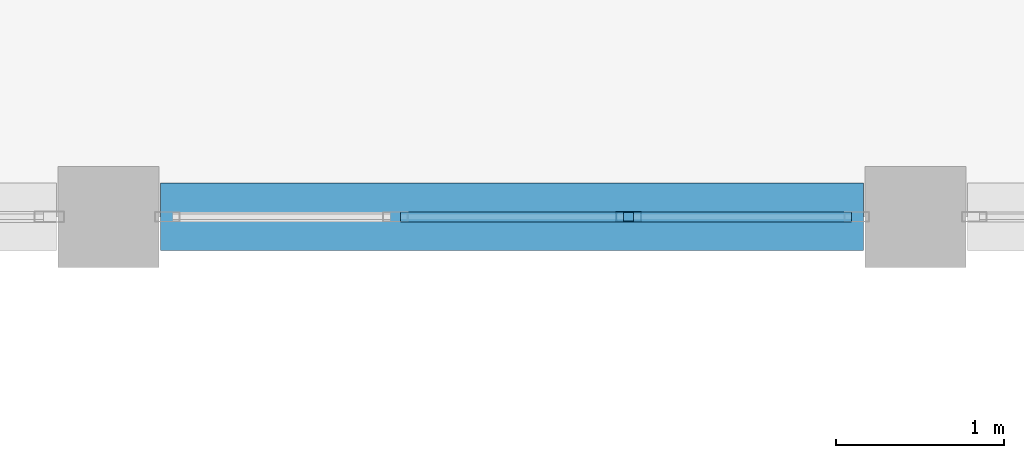
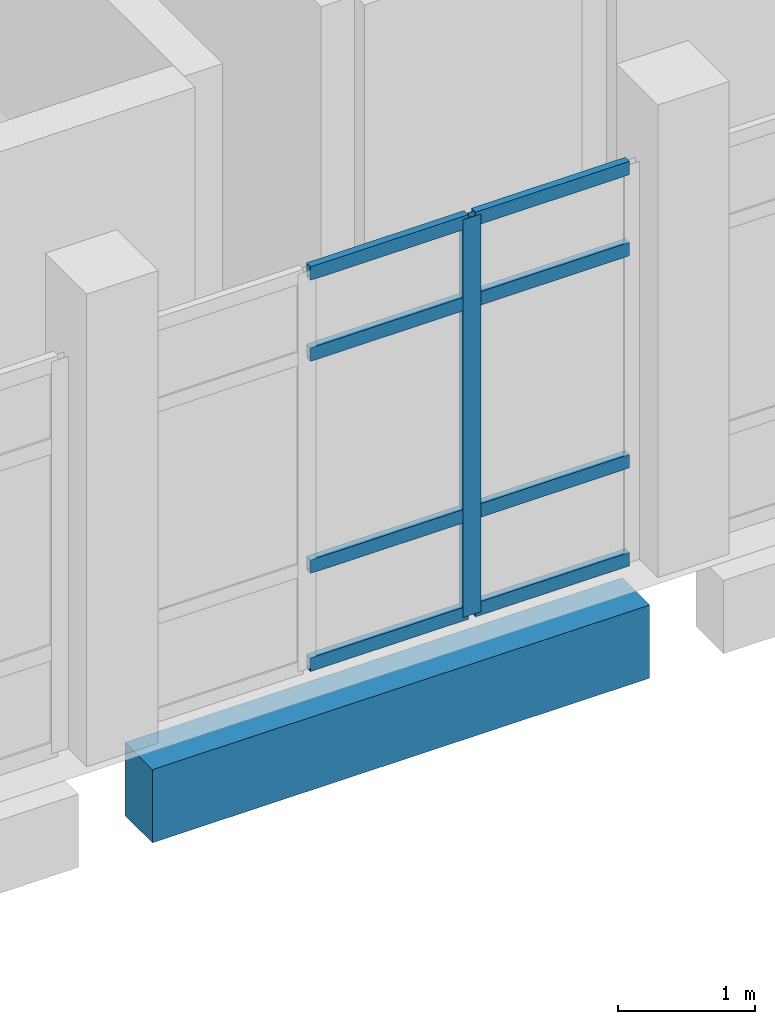
# One storey, part 75 of 164: 9 members, 1 beam, 1 element without a shape of its own.
"""IFC4 building model written with IfcOpenShell, lengths in metres."""

from ifc_helpers import new_model, si_unit, direction, frame, origin, origin_2d, place, context, subcontext, project, spatial, rectangle, hollow_rectangle, extrude, material, layer, layer_set, material_profile, profile_set, type_object, element, aggregate, save


model = new_model("IFC4")

# Units and contexts
model_context = context("Model", 3, precision=1e-05, world=origin(), true_north=direction((0.0, 1.0)))
body_context = subcontext(model_context, "Body", "Model", "MODEL_VIEW")
ifc_project = project(units=[si_unit("LENGTHUNIT", "METRE"), si_unit("AREAUNIT", "SQUARE_METRE"), si_unit("VOLUMEUNIT", "CUBIC_METRE"), si_unit("PLANEANGLEUNIT", "RADIAN"), si_unit("MASSUNIT", "GRAM", prefix="KILO")], contexts=[model_context])

# Site, building, storey
site_placement = place(None, origin())
site = spatial("IfcSite", under=ifc_project, at=site_placement, CompositionType="ELEMENT")
building_placement = place(site_placement, origin())
building = spatial("IfcBuilding", under=site, at=building_placement, Name="Mawjan Specialist Oncology Clinic", CompositionType="ELEMENT")
storey_placement = place(building_placement, frame((0.0, 0.0, 5.0)))
storey = spatial("IfcBuildingStorey", under=building, at=storey_placement, Name="L01", CompositionType="ELEMENT", Elevation=5.0)

# Curtain wall, members
ifc_material_1 = material(Name="Unitised spectrally selective aluminium curtain wall", Category="aluminium")
ifc_layer = layer(ifc_material_1, 0.179931640625, Name="Unitised spectrally selective aluminium curtain wall", Category="aluminium")
ifc_layer_set = layer_set([ifc_layer], Name="Unitised spectrally selective aluminium curtain wall")
curtain_wall_type = type_object("IfcCurtainWallType", Name="CW-59", PredefinedType="NOTDEFINED", material=ifc_layer_set)
curtain_wall_placement = place(storey_placement, origin())
curtain_wall = element("IfcCurtainWall", 1, at=curtain_wall_placement, inside=storey, type_object=curtain_wall_type, Name="L01 Unitised Curtain Wall CW-L01-113", PredefinedType="NOTDEFINED")
ifc_material_2 = material(Name="Thermally broken aluminium 6063-T6", Category="aluminium")
ifc_material_profile_1 = material_profile(ifc_material_2, hollow_rectangle(XDim=0.06005859375, YDim=0.14990234375, WallThickness=0.00390625, at=origin_2d()), Name="ALU MULLION 150x60x4", Category="aluminium")
ifc_profile_set_1 = profile_set([ifc_material_profile_1], Name="Thermally broken aluminium 6063-T6")
member_type_1 = type_object("IfcMemberType", Name="CW-M150", PredefinedType="MULLION", material=ifc_profile_set_1)
member_1_placement = place(storey_placement, frame((63.09326171875, 83.300048828125, 0.0), z_axis=(0.0, 0.0, 1.0), x_axis=(0.0, -1.0, 0.0)))
member_1 = element("IfcMember", 2, at=member_1_placement, type_object=member_type_1, Name="CW-59 mullion 2", PredefinedType="MULLION", context=body_context, shape_type="SweptSolid", body=[
    extrude(hollow_rectangle(XDim=0.06005859375, YDim=0.14990234375, WallThickness=0.00390625, at=origin_2d()), origin(), (0.0, 0.0, 1.0), 3.534912109375),
])
ifc_material_3 = material(Name="Thermally broken aluminium 6063-T6", Category="aluminium")
ifc_material_profile_2 = material_profile(ifc_material_3, hollow_rectangle(XDim=0.06005859375, YDim=0.1201171875, WallThickness=0.00390625, at=origin_2d()), Name="ALU TRANSOM 120x60x4", Category="aluminium")
ifc_profile_set_2 = profile_set([ifc_material_profile_2], Name="Thermally broken aluminium 6063-T6")
member_type_2 = type_object("IfcMemberType", Name="CW-T120", PredefinedType="USERDEFINED", material=ifc_profile_set_2)
member_2_placement = place(storey_placement, frame((64.419921875, 83.300048828125, 0.030029296875), z_axis=(-1.0, 0.0, 0.0), x_axis=(0.0, -1.0, 0.0)))
member_2 = element("IfcMember", 3, at=member_2_placement, type_object=member_type_2, Name="CW-59 transom 1.1", ObjectType="TRANSOM", PredefinedType="USERDEFINED", context=body_context, shape_type="SweptSolid", body=[
    extrude(hollow_rectangle(XDim=0.06005859375, YDim=0.1201171875, WallThickness=0.00390625, at=origin_2d()), origin(), (0.0, 0.0, 1.0), 1.296630859375),
])
member_3_placement = place(storey_placement, frame((64.419921875, 83.300048828125, 0.89990234375), z_axis=(-1.0, 0.0, 0.0), x_axis=(0.0, -1.0, 0.0)))
member_3 = element("IfcMember", 4, at=member_3_placement, type_object=member_type_2, Name="CW-59 transom 1.2", ObjectType="TRANSOM", PredefinedType="USERDEFINED", context=body_context, shape_type="SweptSolid", body=[
    extrude(hollow_rectangle(XDim=0.06005859375, YDim=0.1201171875, WallThickness=0.00390625, at=origin_2d()), origin(), (0.0, 0.0, 1.0), 1.296630859375),
])
member_4_placement = place(storey_placement, frame((64.419921875, 83.300048828125, 2.784912109375), z_axis=(-1.0, 0.0, 0.0), x_axis=(0.0, -1.0, 0.0)))
member_4 = element("IfcMember", 5, at=member_4_placement, type_object=member_type_2, Name="CW-59 transom 1.3", ObjectType="TRANSOM", PredefinedType="USERDEFINED", context=body_context, shape_type="SweptSolid", body=[
    extrude(hollow_rectangle(XDim=0.06005859375, YDim=0.1201171875, WallThickness=0.00390625, at=origin_2d()), origin(), (0.0, 0.0, 1.0), 1.296630859375),
])
member_5_placement = place(storey_placement, frame((64.419921875, 83.300048828125, 3.5048828125), z_axis=(-1.0, 0.0, 0.0), x_axis=(0.0, -1.0, 0.0)))
member_5 = element("IfcMember", 6, at=member_5_placement, type_object=member_type_2, Name="CW-59 transom 1.4", ObjectType="TRANSOM", PredefinedType="USERDEFINED", context=body_context, shape_type="SweptSolid", body=[
    extrude(hollow_rectangle(XDim=0.06005859375, YDim=0.1201171875, WallThickness=0.00390625, at=origin_2d()), origin(), (0.0, 0.0, 1.0), 1.296630859375),
])
member_6_placement = place(storey_placement, frame((63.063232421875, 83.300048828125, 0.030029296875), z_axis=(-1.0, 0.0, 0.0), x_axis=(0.0, -1.0, 0.0)))
member_6 = element("IfcMember", 7, at=member_6_placement, type_object=member_type_2, Name="CW-59 transom 2.1", ObjectType="TRANSOM", PredefinedType="USERDEFINED", context=body_context, shape_type="SweptSolid", body=[
    extrude(hollow_rectangle(XDim=0.06005859375, YDim=0.1201171875, WallThickness=0.00390625, at=origin_2d()), origin(), (0.0, 0.0, 1.0), 1.32666015625),
])
member_7_placement = place(storey_placement, frame((63.063232421875, 83.300048828125, 0.89990234375), z_axis=(-1.0, 0.0, 0.0), x_axis=(0.0, -1.0, 0.0)))
member_7 = element("IfcMember", 8, at=member_7_placement, type_object=member_type_2, Name="CW-59 transom 2.2", ObjectType="TRANSOM", PredefinedType="USERDEFINED", context=body_context, shape_type="SweptSolid", body=[
    extrude(hollow_rectangle(XDim=0.06005859375, YDim=0.1201171875, WallThickness=0.00390625, at=origin_2d()), origin(), (0.0, 0.0, 1.0), 1.32666015625),
])
member_8_placement = place(storey_placement, frame((63.063232421875, 83.300048828125, 2.784912109375), z_axis=(-1.0, 0.0, 0.0), x_axis=(0.0, -1.0, 0.0)))
member_8 = element("IfcMember", 9, at=member_8_placement, type_object=member_type_2, Name="CW-59 transom 2.3", ObjectType="TRANSOM", PredefinedType="USERDEFINED", context=body_context, shape_type="SweptSolid", body=[
    extrude(hollow_rectangle(XDim=0.06005859375, YDim=0.1201171875, WallThickness=0.00390625, at=origin_2d()), origin(), (0.0, 0.0, 1.0), 1.32666015625),
])
member_9_placement = place(storey_placement, frame((63.063232421875, 83.300048828125, 3.5048828125), z_axis=(-1.0, 0.0, 0.0), x_axis=(0.0, -1.0, 0.0)))
member_9 = element("IfcMember", 10, at=member_9_placement, type_object=member_type_2, Name="CW-59 transom 2.4", ObjectType="TRANSOM", PredefinedType="USERDEFINED", context=body_context, shape_type="SweptSolid", body=[
    extrude(hollow_rectangle(XDim=0.06005859375, YDim=0.1201171875, WallThickness=0.00390625, at=origin_2d()), origin(), (0.0, 0.0, 1.0), 1.32666015625),
])
aggregate(curtain_wall, [member_1, member_2, member_3, member_4, member_5, member_6, member_7, member_8, member_9])

# Beam
ifc_material_4 = material(Name="Concrete C45/55", Category="concrete")
ifc_material_profile_3 = material_profile(ifc_material_4, rectangle(XDim=0.39990234375, YDim=0.64990234375, at=origin_2d()), Name="RC BM 400x650", Category="concrete")
ifc_profile_set_3 = profile_set([ifc_material_profile_3], Name="Concrete C45/55")
beam_type = type_object("IfcBeamType", Name="SP-400x650", PredefinedType="SPANDREL", material=ifc_profile_set_3)
beam_placement = place(storey_placement, frame((60.31005859375, 83.300048828125, -0.625), z_axis=(1.0, 0.0, 0.0), x_axis=(0.0, 1.0, 0.0)))
element("IfcBeam", 11, at=beam_placement, inside=storey, type_object=beam_type, Name="L01 Spandrel Beam BM-L01-0343", PredefinedType="SPANDREL", context=body_context, shape_type="SweptSolid", body=[
    extrude(rectangle(XDim=0.39990234375, YDim=0.64990234375, at=origin_2d()), origin(), (0.0, 0.0, 1.0), 4.179931640625),
])

save(model, "model.ifc")
